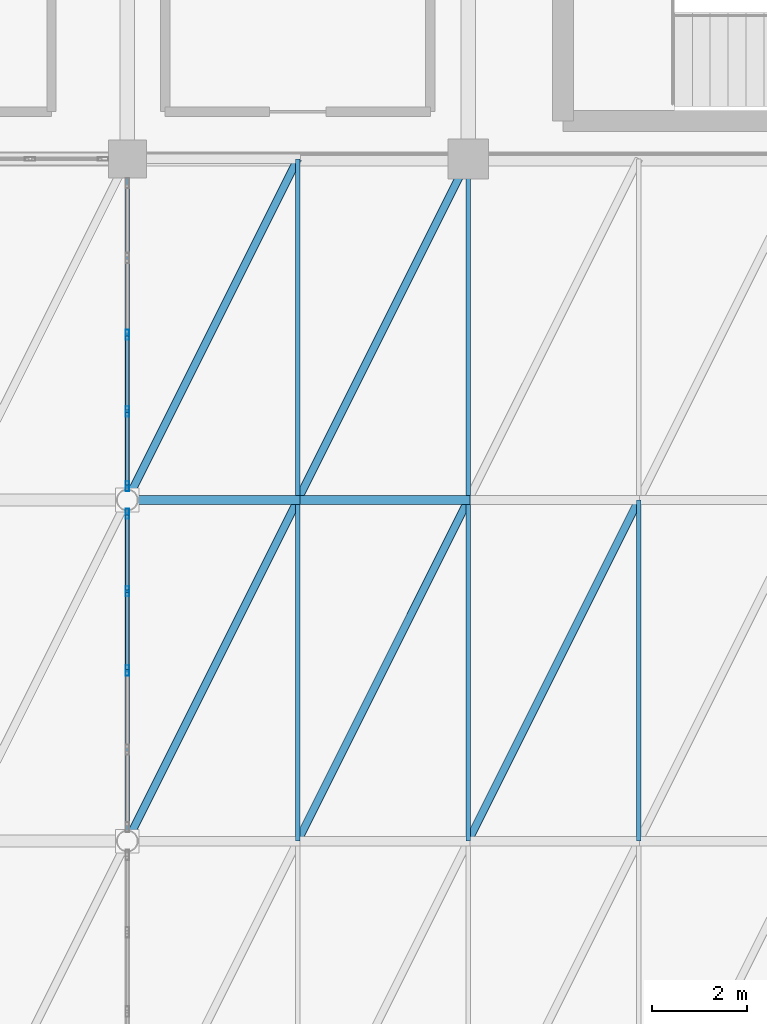
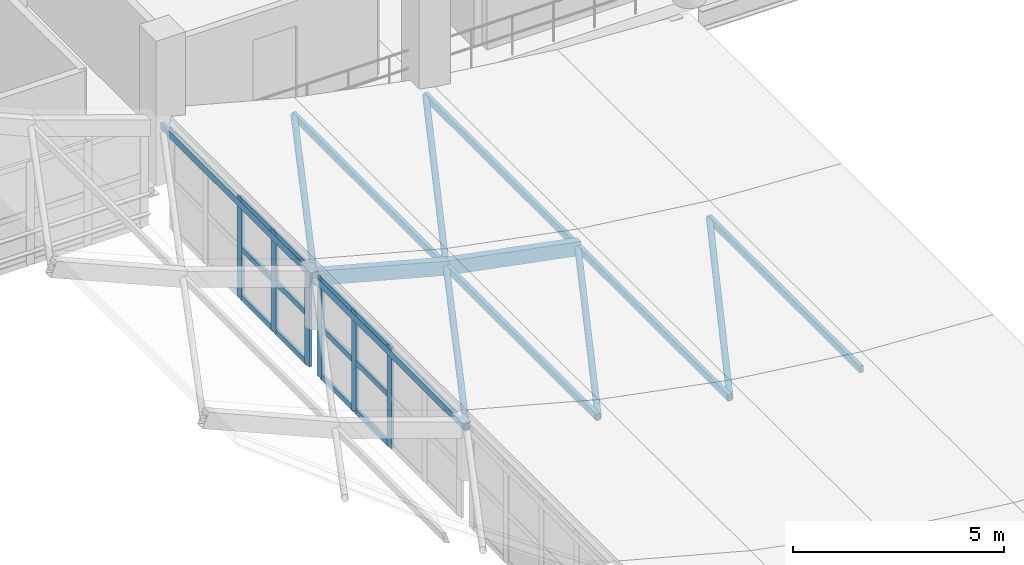
# One storey, part 69 of 153: 30 members, 2 beams, 2 elements without a shape of their own.
"""IFC4 building model written with IfcOpenShell, lengths in metres."""

from ifc_helpers import new_model, si_unit, direction, frame, origin, origin_2d, place, context, subcontext, project, spatial, hollow_rectangle, hollow_circle, extrude, material, material_profile, profile_set, type_object, element, aggregate, save


model = new_model("IFC4")

# Units and contexts
model_context = context("Model", 3, precision=1e-05, world=origin(), true_north=direction((0.0, 1.0)))
body_context = subcontext(model_context, "Body", "Model", "MODEL_VIEW")
ifc_project = project(units=[si_unit("LENGTHUNIT", "METRE"), si_unit("AREAUNIT", "SQUARE_METRE"), si_unit("VOLUMEUNIT", "CUBIC_METRE"), si_unit("PLANEANGLEUNIT", "RADIAN"), si_unit("MASSUNIT", "GRAM", prefix="KILO")], contexts=[model_context])

# Site, building, storey
site_placement = place(None, origin())
site = spatial("IfcSite", under=ifc_project, at=site_placement, CompositionType="ELEMENT")
building_placement = place(site_placement, origin())
building = spatial("IfcBuilding", under=site, at=building_placement, Name="Qandorah Velis Arena", CompositionType="ELEMENT")
storey_placement = place(building_placement, frame((0.0, 0.0, 5.39990234375)))
storey = spatial("IfcBuildingStorey", under=building, at=storey_placement, Name="L01", CompositionType="ELEMENT", Elevation=5.39990234375)

# Curtain wall, members
ifc_material_1 = material(Name="Solar-control low-E double glazing", Category="glass")
curtain_wall_type_1 = type_object("IfcCurtainWallType", Name="ARC-CW-SYS08", PredefinedType="USERDEFINED", material=ifc_material_1)
curtain_wall_1_placement = place(storey_placement, origin())
curtain_wall_1 = element("IfcCurtainWall", 1, at=curtain_wall_1_placement, inside=storey, type_object=curtain_wall_type_1, Name="Unitised curtain wall FOY-UP-7", ObjectType="UNITISED CURTAIN WALL", PredefinedType="USERDEFINED")
ifc_material_2 = material(Name="Champagne-bronze anodized aluminium 6063-T6", Category="aluminium")
ifc_material_profile_1 = material_profile(ifc_material_2, hollow_rectangle(XDim=0.074951171875, YDim=0.219970703125, WallThickness=0.00390625, at=origin_2d()), Name="ALU MULLION 75x220")
ifc_profile_set_1 = profile_set([ifc_material_profile_1], Name="Champagne-bronze anodized aluminium 6063-T6")
member_type_1 = type_object("IfcMemberType", Name="ARC-CWM-220", PredefinedType="MULLION", material=ifc_profile_set_1)
member_1_placement = place(storey_placement, frame((144.0, 32.39990234375, -1.3349609375), z_axis=(0.0, 0.0, 1.0), x_axis=(-1.0, 0.0, 0.0)))
member_1 = element("IfcMember", 2, at=member_1_placement, type_object=member_type_1, Name="CW08 mullion 3", PredefinedType="MULLION", context=body_context, shape_type="SweptSolid", body=[
    extrude(hollow_rectangle(XDim=0.074951171875, YDim=0.219970703125, WallThickness=0.00390625, at=origin_2d()), origin(), (0.0, 0.0, 1.0), 2.918701171875),
])
member_2_placement = place(storey_placement, frame((144.0, 34.0732421875, -1.3349609375), z_axis=(0.0, 0.0, 1.0), x_axis=(-1.0, 0.0, 0.0)))
member_2 = element("IfcMember", 3, at=member_2_placement, type_object=member_type_1, Name="CW08 mullion 4", PredefinedType="MULLION", context=body_context, shape_type="SweptSolid", body=[
    extrude(hollow_rectangle(XDim=0.074951171875, YDim=0.219970703125, WallThickness=0.00390625, at=origin_2d()), origin(), (0.0, 0.0, 1.0), 2.918701171875),
])
member_3_placement = place(storey_placement, frame((144.0, 35.708984375, -1.3349609375), z_axis=(0.0, 0.0, 1.0), x_axis=(-1.0, 0.0, 0.0)))
member_3 = element("IfcMember", 4, at=member_3_placement, type_object=member_type_1, Name="CW08 mullion 5", PredefinedType="MULLION", context=body_context, shape_type="SweptSolid", body=[
    extrude(hollow_rectangle(XDim=0.074951171875, YDim=0.219970703125, WallThickness=0.00390625, at=origin_2d()), origin(), (0.0, 0.0, 1.0), 2.918701171875),
])

curtain_wall_type_2 = type_object("IfcCurtainWallType", Name="ARC-CW-SYS09", PredefinedType="USERDEFINED", material=ifc_material_1)
curtain_wall_2_placement = place(storey_placement, origin())
curtain_wall_2 = element("IfcCurtainWall", 5, at=curtain_wall_2_placement, inside=storey, type_object=curtain_wall_type_2, Name="Unitised curtain wall FOY-UP-8", ObjectType="UNITISED CURTAIN WALL", PredefinedType="USERDEFINED")
member_4_placement = place(storey_placement, frame((144.0, 36.291015625, -1.3349609375), z_axis=(0.0, 0.0, 1.0), x_axis=(-1.0, 0.0, 0.0)))
member_4 = element("IfcMember", 6, at=member_4_placement, type_object=member_type_1, Name="CW09 mullion 1", PredefinedType="MULLION", context=body_context, shape_type="SweptSolid", body=[
    extrude(hollow_rectangle(XDim=0.074951171875, YDim=0.219970703125, WallThickness=0.00390625, at=origin_2d()), origin(), (0.0, 0.0, 1.0), 2.918701171875),
])
member_5_placement = place(storey_placement, frame((144.0, 37.871337890625, -1.3349609375), z_axis=(0.0, 0.0, 1.0), x_axis=(-1.0, 0.0, 0.0)))
member_5 = element("IfcMember", 7, at=member_5_placement, type_object=member_type_1, Name="CW09 mullion 2", PredefinedType="MULLION", context=body_context, shape_type="SweptSolid", body=[
    extrude(hollow_rectangle(XDim=0.074951171875, YDim=0.219970703125, WallThickness=0.00390625, at=origin_2d()), origin(), (0.0, 0.0, 1.0), 2.918701171875),
])
member_6_placement = place(storey_placement, frame((144.0, 39.4892578125, -1.3349609375), z_axis=(0.0, 0.0, 1.0), x_axis=(-1.0, 0.0, 0.0)))
member_6 = element("IfcMember", 8, at=member_6_placement, type_object=member_type_1, Name="CW09 mullion 3", PredefinedType="MULLION", context=body_context, shape_type="SweptSolid", body=[
    extrude(hollow_rectangle(XDim=0.074951171875, YDim=0.219970703125, WallThickness=0.00390625, at=origin_2d()), origin(), (0.0, 0.0, 1.0), 2.918701171875),
])

# Member
ifc_material_profile_2 = material_profile(ifc_material_2, hollow_rectangle(XDim=0.074951171875, YDim=0.159912109375, WallThickness=0.00341796875, at=origin_2d()), Name="ALU TRANSOM 75x160")
ifc_profile_set_2 = profile_set([ifc_material_profile_2], Name="Champagne-bronze anodized aluminium 6063-T6")
member_type_2 = type_object("IfcMemberType", Name="ARC-CWT-160", PredefinedType="USERDEFINED", material=ifc_profile_set_2)
member_7_placement = place(storey_placement, frame((144.0, 32.425537109375, -1.282470703125), z_axis=(0.0, 1.0, 0.0), x_axis=(-1.0, 0.0, 0.0)))
member_7 = element("IfcMember", 9, at=member_7_placement, type_object=member_type_2, Name="CW08 transom 3.1", ObjectType="TRANSOM", PredefinedType="USERDEFINED", context=body_context, shape_type="SweptSolid", body=[
    extrude(hollow_rectangle(XDim=0.074951171875, YDim=0.159912109375, WallThickness=0.00341796875, at=origin_2d()), origin(), (0.0, 0.0, 1.0), 1.622314453125),
])

member_8_placement = place(storey_placement, frame((144.0, 32.425537109375, 0.12451171875), z_axis=(0.0, 1.0, 0.0), x_axis=(-1.0, 0.0, 0.0)))
member_8 = element("IfcMember", 10, at=member_8_placement, type_object=member_type_2, Name="CW08 transom 3.2", ObjectType="TRANSOM", PredefinedType="USERDEFINED", context=body_context, shape_type="SweptSolid", body=[
    extrude(hollow_rectangle(XDim=0.074951171875, YDim=0.159912109375, WallThickness=0.00341796875, at=origin_2d()), origin(), (0.0, 0.0, 1.0), 1.622314453125),
])

member_9_placement = place(storey_placement, frame((144.0, 32.425537109375, 1.53125), z_axis=(0.0, 1.0, 0.0), x_axis=(-1.0, 0.0, 0.0)))
member_9 = element("IfcMember", 11, at=member_9_placement, type_object=member_type_2, Name="CW08 transom 3.3", ObjectType="TRANSOM", PredefinedType="USERDEFINED", context=body_context, shape_type="SweptSolid", body=[
    extrude(hollow_rectangle(XDim=0.074951171875, YDim=0.159912109375, WallThickness=0.00341796875, at=origin_2d()), origin(), (0.0, 0.0, 1.0), 1.622314453125),
])

member_10_placement = place(storey_placement, frame((144.0, 34.0986328125, -1.282470703125), z_axis=(0.0, 1.0, 0.0), x_axis=(-1.0, 0.0, 0.0)))
member_10 = element("IfcMember", 12, at=member_10_placement, type_object=member_type_2, Name="CW08 transom 4.1", ObjectType="TRANSOM", PredefinedType="USERDEFINED", context=body_context, shape_type="SweptSolid", body=[
    extrude(hollow_rectangle(XDim=0.074951171875, YDim=0.159912109375, WallThickness=0.00341796875, at=origin_2d()), origin(), (0.0, 0.0, 1.0), 1.5849609375),
])

member_11_placement = place(storey_placement, frame((144.0, 34.0986328125, 0.12451171875), z_axis=(0.0, 1.0, 0.0), x_axis=(-1.0, 0.0, 0.0)))
member_11 = element("IfcMember", 13, at=member_11_placement, type_object=member_type_2, Name="CW08 transom 4.2", ObjectType="TRANSOM", PredefinedType="USERDEFINED", context=body_context, shape_type="SweptSolid", body=[
    extrude(hollow_rectangle(XDim=0.074951171875, YDim=0.159912109375, WallThickness=0.00341796875, at=origin_2d()), origin(), (0.0, 0.0, 1.0), 1.5849609375),
])

member_12_placement = place(storey_placement, frame((144.0, 34.0986328125, 1.53125), z_axis=(0.0, 1.0, 0.0), x_axis=(-1.0, 0.0, 0.0)))
member_12 = element("IfcMember", 14, at=member_12_placement, type_object=member_type_2, Name="CW08 transom 4.3", ObjectType="TRANSOM", PredefinedType="USERDEFINED", context=body_context, shape_type="SweptSolid", body=[
    extrude(hollow_rectangle(XDim=0.074951171875, YDim=0.159912109375, WallThickness=0.00341796875, at=origin_2d()), origin(), (0.0, 0.0, 1.0), 1.5849609375),
])

aggregate(curtain_wall_1, [member_1, member_2, member_3, member_7, member_8, member_9, member_10, member_11, member_12])

member_13_placement = place(storey_placement, frame((144.0, 36.31640625, -1.282470703125), z_axis=(0.0, 1.0, 0.0), x_axis=(-1.0, 0.0, 0.0)))
member_13 = element("IfcMember", 15, at=member_13_placement, type_object=member_type_2, Name="CW09 transom 1.1", ObjectType="TRANSOM", PredefinedType="USERDEFINED", context=body_context, shape_type="SweptSolid", body=[
    extrude(hollow_rectangle(XDim=0.074951171875, YDim=0.159912109375, WallThickness=0.00341796875, at=origin_2d()), origin(), (0.0, 0.0, 1.0), 1.529541015625),
])

member_14_placement = place(storey_placement, frame((144.0, 36.31640625, 0.12451171875), z_axis=(0.0, 1.0, 0.0), x_axis=(-1.0, 0.0, 0.0)))
member_14 = element("IfcMember", 16, at=member_14_placement, type_object=member_type_2, Name="CW09 transom 1.2", ObjectType="TRANSOM", PredefinedType="USERDEFINED", context=body_context, shape_type="SweptSolid", body=[
    extrude(hollow_rectangle(XDim=0.074951171875, YDim=0.159912109375, WallThickness=0.00341796875, at=origin_2d()), origin(), (0.0, 0.0, 1.0), 1.529541015625),
])

member_15_placement = place(storey_placement, frame((144.0, 36.31640625, 1.53125), z_axis=(0.0, 1.0, 0.0), x_axis=(-1.0, 0.0, 0.0)))
member_15 = element("IfcMember", 17, at=member_15_placement, type_object=member_type_2, Name="CW09 transom 1.3", ObjectType="TRANSOM", PredefinedType="USERDEFINED", context=body_context, shape_type="SweptSolid", body=[
    extrude(hollow_rectangle(XDim=0.074951171875, YDim=0.159912109375, WallThickness=0.00341796875, at=origin_2d()), origin(), (0.0, 0.0, 1.0), 1.529541015625),
])

member_16_placement = place(storey_placement, frame((144.0, 37.89697265625, -1.282470703125), z_axis=(0.0, 1.0, 0.0), x_axis=(-1.0, 0.0, 0.0)))
member_16 = element("IfcMember", 18, at=member_16_placement, type_object=member_type_2, Name="CW09 transom 2.1", ObjectType="TRANSOM", PredefinedType="USERDEFINED", context=body_context, shape_type="SweptSolid", body=[
    extrude(hollow_rectangle(XDim=0.074951171875, YDim=0.159912109375, WallThickness=0.00341796875, at=origin_2d()), origin(), (0.0, 0.0, 1.0), 1.56689453125),
])

member_17_placement = place(storey_placement, frame((144.0, 37.89697265625, 0.12451171875), z_axis=(0.0, 1.0, 0.0), x_axis=(-1.0, 0.0, 0.0)))
member_17 = element("IfcMember", 19, at=member_17_placement, type_object=member_type_2, Name="CW09 transom 2.2", ObjectType="TRANSOM", PredefinedType="USERDEFINED", context=body_context, shape_type="SweptSolid", body=[
    extrude(hollow_rectangle(XDim=0.074951171875, YDim=0.159912109375, WallThickness=0.00341796875, at=origin_2d()), origin(), (0.0, 0.0, 1.0), 1.56689453125),
])

member_18_placement = place(storey_placement, frame((144.0, 37.89697265625, 1.53125), z_axis=(0.0, 1.0, 0.0), x_axis=(-1.0, 0.0, 0.0)))
member_18 = element("IfcMember", 20, at=member_18_placement, type_object=member_type_2, Name="CW09 transom 2.3", ObjectType="TRANSOM", PredefinedType="USERDEFINED", context=body_context, shape_type="SweptSolid", body=[
    extrude(hollow_rectangle(XDim=0.074951171875, YDim=0.159912109375, WallThickness=0.00341796875, at=origin_2d()), origin(), (0.0, 0.0, 1.0), 1.56689453125),
])

aggregate(curtain_wall_2, [member_4, member_5, member_6, member_13, member_14, member_15, member_16, member_17, member_18])

# Beams
ifc_material_3 = material(Name="Steel S355", Category="steel")
ifc_material_profile_3 = material_profile(ifc_material_3, hollow_rectangle(XDim=0.199951171875, YDim=0.39990234375, WallThickness=0.01611328125, at=origin_2d()), Name="RHS 400x200x16")
ifc_profile_set_3 = profile_set([ifc_material_profile_3], Name="Steel S355")
beam_type = type_object("IfcBeamType", Name="STR-CRB-RHS400", PredefinedType="USERDEFINED", material=ifc_profile_set_3)
beam_1_placement = place(storey_placement, frame((144.0, 36.0, 1.388916015625), z_axis=(0.966010590095, 0.0, -0.258502494813), x_axis=(0.0, 1.0, 0.0)))
element("IfcBeam", 21, at=beam_1_placement, inside=storey, type_object=beam_type, Name="Sweeping canopy rib CRB-4.09", ObjectType="ROOF TRUSS", PredefinedType="USERDEFINED", context=body_context, shape_type="SweptSolid", body=[
    extrude(hollow_rectangle(XDim=0.199951171875, YDim=0.39990234375, WallThickness=0.01611328125, at=origin_2d()), origin(), (0.0, 0.0, 1.0), 3.726806640625),
])
beam_2_placement = place(storey_placement, frame((147.60009765625, 36.0, 0.425537109375), z_axis=(0.981815497393, 0.0, -0.18983763873), x_axis=(0.0, 1.0, 0.0)))
element("IfcBeam", 22, at=beam_2_placement, inside=storey, type_object=beam_type, Name="Sweeping canopy rib CRB-4.10", ObjectType="ROOF TRUSS", PredefinedType="USERDEFINED", context=body_context, shape_type="SweptSolid", body=[
    extrude(hollow_rectangle(XDim=0.199951171875, YDim=0.39990234375, WallThickness=0.01611328125, at=origin_2d()), origin(), (0.0, 0.0, 1.0), 3.66650390625),
])

# Members
ifc_material_profile_4 = material_profile(ifc_material_3, hollow_rectangle(XDim=0.10009765625, YDim=0.199951171875, WallThickness=0.008056640625, at=origin_2d()), Name="RHS 200x100x8")
ifc_profile_set_4 = profile_set([ifc_material_profile_4], Name="Steel S355")
member_type_3 = type_object("IfcMemberType", Name="STR-PRL-RHS200", PredefinedType="PURLIN", material=ifc_profile_set_4)
for number, where, z_axis, x_axis, name in (
    (23, (144.0, 28.800048828125, 1.388916015625), (0.0, 1.0, 0.0), (-1.0, 0.0, 0.0), "Canopy cross purlin CPR-3.08"),
    (24, (147.60009765625, 28.800048828125, 0.425537109375), (0.0, 1.0, 0.0), (-1.0, 0.0, 0.0), "Canopy cross purlin CPR-3.09"),
    (25, (151.199951171875, 28.800048828125, -0.2705078125), (0.0, 1.0, 0.0), (-1.0, 0.0, 0.0), "Canopy cross purlin CPR-3.10"),
    (26, (154.800048828125, 28.800048828125, -0.710205078125), (0.0, 1.0, 0.0), (-1.0, 0.0, 0.0), "Canopy cross purlin CPR-3.11"),
    (27, (144.0, 36.0, 1.388916015625), (0.0, 1.0, 0.0), (-1.0, 0.0, 0.0), "Canopy cross purlin CPR-4.08"),
    (28, (147.60009765625, 36.0, 0.425537109375), (0.0, 1.0, 0.0), (-1.0, 0.0, 0.0), "Canopy cross purlin CPR-4.09"),
    (29, (151.199951171875, 36.0, -0.2705078125), (0.0, 1.0, 0.0), (-1.0, 0.0, 0.0), "Canopy cross purlin CPR-4.10"),
):
    element("IfcMember", number, at=place(storey_placement, frame(where, z_axis=z_axis, x_axis=x_axis)), inside=storey, type_object=member_type_3, Name=name, PredefinedType="PURLIN", context=body_context, shape_type="SweptSolid", body=[
        extrude(hollow_rectangle(XDim=0.10009765625, YDim=0.199951171875, WallThickness=0.008056640625, at=origin_2d()), origin(), (0.0, 0.0, 1.0), 7.199951171875),
    ])
ifc_material_profile_5 = material_profile(ifc_material_3, hollow_circle(Radius=0.084228515625, WallThickness=0.008056640625, at=origin_2d()), Name="CHS 168.3x8")
ifc_profile_set_5 = profile_set([ifc_material_profile_5], Name="Steel S355")
member_type_4 = type_object("IfcMemberType", Name="STR-SFD-CHS168X8", PredefinedType="STRUT", material=ifc_profile_set_5)
member_19_placement = place(storey_placement, frame((144.0, 28.800048828125, 1.388916015625), z_axis=(0.444057025989, 0.88808393825, -0.118828768788), x_axis=(-0.894421125195, 0.447225726904, 0.0)))
element("IfcMember", 30, at=member_19_placement, inside=storey, type_object=member_type_4, Name="Canopy roof plane diagonal CDG-3.09", PredefinedType="STRUT", context=body_context, shape_type="SweptSolid", body=[
    extrude(hollow_circle(Radius=0.084228515625, WallThickness=0.008056640625, at=origin_2d()), origin(), (0.0, 0.0, 1.0), 8.107177734375),
])
member_20_placement = place(storey_placement, frame((147.60009765625, 28.800048828125, 0.425537109375), z_axis=(0.44553897969, 0.891108175656, -0.086146600956), x_axis=(-0.894433256723, 0.447201463849, 0.0)))
element("IfcMember", 31, at=member_20_placement, inside=storey, type_object=member_type_4, Name="Canopy roof plane diagonal CDG-3.10", PredefinedType="STRUT", context=body_context, shape_type="SweptSolid", body=[
    extrude(hollow_circle(Radius=0.084228515625, WallThickness=0.008056640625, at=origin_2d()), origin(), (0.0, 0.0, 1.0), 8.079833984375),
])
member_21_placement = place(storey_placement, frame((151.199951171875, 28.800048828125, -0.2705078125), z_axis=(0.446560057141, 0.893089830811, -0.054540530511), x_axis=(-0.894421125195, 0.447225726904, 0.0)))
element("IfcMember", 32, at=member_21_placement, inside=storey, type_object=member_type_4, Name="Canopy roof plane diagonal CDG-3.11", PredefinedType="STRUT", context=body_context, shape_type="SweptSolid", body=[
    extrude(hollow_circle(Radius=0.084228515625, WallThickness=0.008056640625, at=origin_2d()), origin(), (0.0, 0.0, 1.0), 8.061767578125),
])
member_22_placement = place(storey_placement, frame((144.0, 36.0, 1.388916015625), z_axis=(0.444057025989, 0.88808393825, -0.118828768788), x_axis=(-0.894421125195, 0.447225726904, 0.0)))
element("IfcMember", 33, at=member_22_placement, inside=storey, type_object=member_type_4, Name="Canopy roof plane diagonal CDG-4.09", PredefinedType="STRUT", context=body_context, shape_type="SweptSolid", body=[
    extrude(hollow_circle(Radius=0.084228515625, WallThickness=0.008056640625, at=origin_2d()), origin(), (0.0, 0.0, 1.0), 8.107177734375),
])
member_23_placement = place(storey_placement, frame((147.60009765625, 36.0, 0.425537109375), z_axis=(0.44553897969, 0.891108175656, -0.086146600956), x_axis=(-0.894433256723, 0.447201463849, 0.0)))
element("IfcMember", 34, at=member_23_placement, inside=storey, type_object=member_type_4, Name="Canopy roof plane diagonal CDG-4.10", PredefinedType="STRUT", context=body_context, shape_type="SweptSolid", body=[
    extrude(hollow_circle(Radius=0.084228515625, WallThickness=0.008056640625, at=origin_2d()), origin(), (0.0, 0.0, 1.0), 8.079833984375),
])

save(model, "model.ifc")
